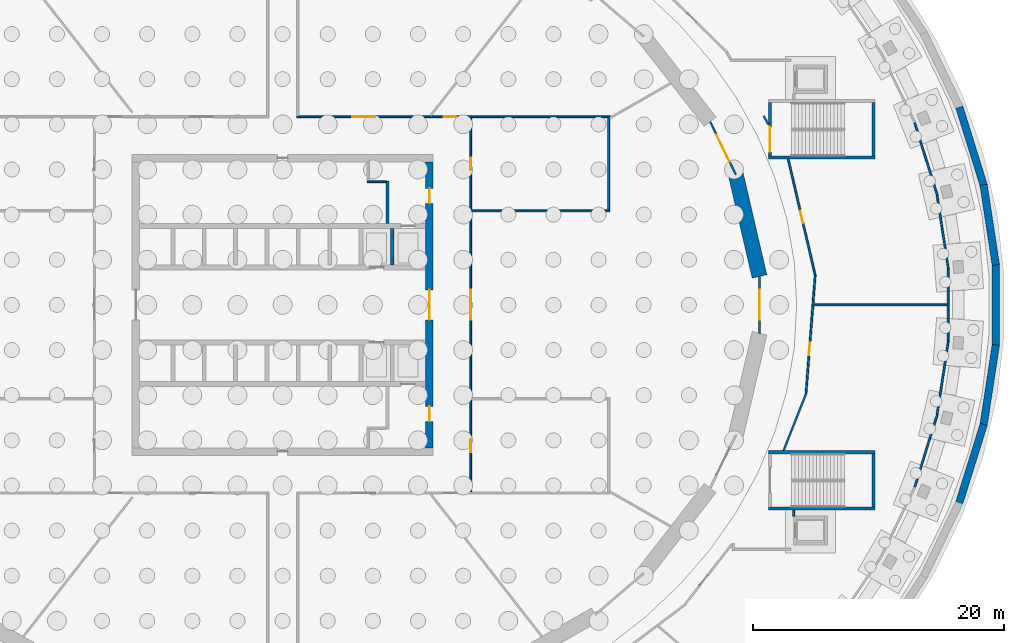
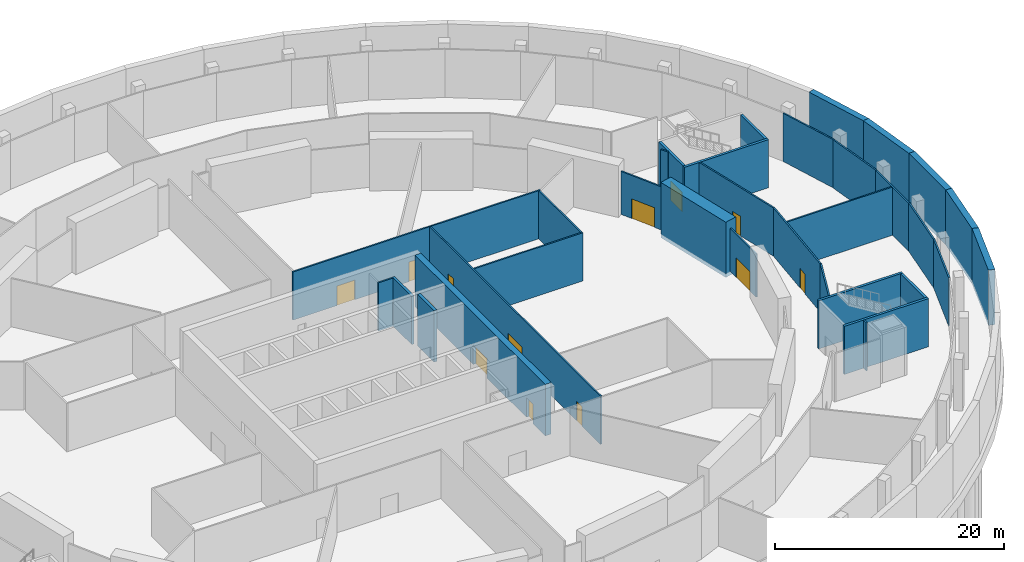
# One storey, part 10 of 15: 33 walls, 13 doors, 13 openings.
"""IFC4 building model written with IfcOpenShell, lengths in metres."""

from ifc_helpers import new_model, si_unit, direction, frame, frame_2d, origin, place, context, subcontext, project, spatial, polyline, rectangle, outline, extrude, material, layer, layer_set, type_object, element, fill, save


model = new_model("IFC4")

# Units and contexts
model_context = context("Model", 3, precision=1e-05, world=origin(), true_north=direction((0.0, 1.0)))
body_context = subcontext(model_context, "Body", "Model", "MODEL_VIEW")
ifc_project = project(units=[si_unit("LENGTHUNIT", "METRE"), si_unit("AREAUNIT", "SQUARE_METRE"), si_unit("VOLUMEUNIT", "CUBIC_METRE"), si_unit("PLANEANGLEUNIT", "RADIAN"), si_unit("MASSUNIT", "GRAM", prefix="KILO")], contexts=[model_context])

# Site, building, storey
site_placement = place(None, origin())
site = spatial("IfcSite", under=ifc_project, at=site_placement, CompositionType="ELEMENT")
building_placement = place(site_placement, origin())
building = spatial("IfcBuilding", under=site, at=building_placement, Name="Halqa Exchange Tower", CompositionType="ELEMENT")
storey_placement = place(building_placement, frame((0.0, 0.0, -15.0)))
storey = spatial("IfcBuildingStorey", under=building, at=storey_placement, Name="B3", CompositionType="ELEMENT", Elevation=-15.0)

# Wall, openings, doors
ifc_material_1 = material(Name="Fire-rated gypsum board")
ifc_layer_1 = layer(ifc_material_1, 0.14990234375)
ifc_layer_set_1 = layer_set([ifc_layer_1], Name="Fire-rated gypsum board")
wall_type_1 = type_object("IfcWallType", Name="Fire partition EI 60 150", PredefinedType="PARTITIONING", material=ifc_layer_set_1)
wall_1_placement = place(storey_placement, frame((1.125, 15.0, 0.0), z_axis=(0.0, 0.0, 1.0), x_axis=(1.0, 0.0, 0.0)))
wall_1 = element("IfcWall", 1, at=wall_1_placement, inside=storey, type_object=wall_type_1, Name="B3-PWL-080", PredefinedType="PARTITIONING", context=body_context, shape_type="SweptSolid", body=[
    extrude(rectangle(XDim=25.0048828125, YDim=0.14990234375, at=frame_2d((12.50244140625, 0.0))), origin(), (0.0, 0.0, 1.0), 5.14990234375),
])
opening_1_placement = place(wall_1_placement, frame((11.72509765625, 0.0, 0.0)))
opening_1 = element("IfcOpeningElement", 2, at=opening_1_placement, cuts=wall_1, Name="Opening B3-08", PredefinedType="OPENING", context=body_context, shape_type="SweptSolid", body=[
    extrude(rectangle(XDim=1.0, YDim=2.10009765625, at=frame_2d((0.5, 1.050048828125))), frame((0.0, 0.0869140625, 0.0), z_axis=(0.0, -1.0, 0.0), x_axis=(1.0, 0.0, 0.0)), (0.0, 0.0, 1.0), 0.173828125),
])
opening_2_placement = place(wall_1_placement, frame((4.444091796875, 0.0, 0.0)))
opening_2 = element("IfcOpeningElement", 3, at=opening_2_placement, cuts=wall_1, Name="Opening B3-09", PredefinedType="OPENING", context=body_context, shape_type="SweptSolid", body=[
    extrude(rectangle(XDim=1.800048828125, YDim=2.10009765625, at=frame_2d((0.89990234375, 1.050048828125))), frame((0.0, 0.0869140625, 0.0), z_axis=(0.0, -1.0, 0.0), x_axis=(1.0, 0.0, 0.0)), (0.0, 0.0, 1.0), 0.173828125),
])
ifc_material_2 = material(Name="Steel fire door leaf", Category="steel")
door_type_1 = type_object("IfcDoorType", Name="Fire door FD30S 1000 x 2100", OperationType="SINGLE_SWING_LEFT", PredefinedType="DOOR", material=ifc_material_2)
door_1_placement = place(opening_1_placement, frame((1.0, 0.0, 0.0), z_axis=(0.0, 0.0, 1.0), x_axis=(-1.0, 0.0, 0.0)))
door_1 = element("IfcDoor", 4, at=door_1_placement, inside=storey, type_object=door_type_1, Name="B3-IDR-008", OperationType="SINGLE_SWING_RIGHT", OverallHeight=2.10009765625, OverallWidth=1.0, PredefinedType="DOOR", context=body_context, shape_type="SweptSolid", body=[
    extrude(rectangle(XDim=1.0, YDim=2.10009765625, at=frame_2d((0.5, 1.050048828125))), frame((0.0, 0.02490234375, 0.0), z_axis=(0.0, -1.0, 0.0), x_axis=(1.0, 0.0, 0.0)), (0.0, 0.0, 1.0), 0.050048828125),
])
fill(opening_1, door_1)
door_type_2 = type_object("IfcDoorType", Name="Fire door FD30S double 1800 x 2100", OperationType="DOUBLE_DOOR_SINGLE_SWING", PredefinedType="DOOR", material=ifc_material_2)
door_2_placement = place(opening_2_placement, frame((1.800048828125, 0.0, 0.0), z_axis=(0.0, 0.0, 1.0), x_axis=(-1.0, 0.0, 0.0)))
door_2 = element("IfcDoor", 5, at=door_2_placement, inside=storey, type_object=door_type_2, Name="B3-IDR-009", OperationType="DOUBLE_DOOR_SINGLE_SWING", OverallHeight=2.10009765625, OverallWidth=1.800048828125, PredefinedType="DOOR", context=body_context, shape_type="SweptSolid", body=[
    extrude(rectangle(XDim=1.800048828125, YDim=2.10009765625, at=frame_2d((0.89990234375, 1.050048828125))), frame((0.0, 0.02490234375, 0.0), z_axis=(0.0, -1.0, 0.0), x_axis=(1.0, 0.0, 0.0)), (0.0, 0.0, 1.0), 0.050048828125),
])
fill(opening_2, door_2)

wall_2_placement = place(storey_placement, frame((15.0, -14.925048828125, 0.0), z_axis=(0.0, 0.0, 1.0), x_axis=(0.0, 1.0, 0.0)))
wall_2 = element("IfcWall", 6, at=wall_2_placement, inside=storey, type_object=wall_type_1, Name="B3-PWL-092", PredefinedType="PARTITIONING", context=body_context, shape_type="SweptSolid", body=[
    extrude(rectangle(XDim=29.85009765625, YDim=0.14990234375, at=frame_2d((14.925048828125, 0.0))), origin(), (0.0, 0.0, 1.0), 5.14990234375),
])
opening_3_placement = place(wall_2_placement, frame((25.659912109375, 0.0, 0.0)))
opening_3 = element("IfcOpeningElement", 7, at=opening_3_placement, cuts=wall_2, Name="Opening B3-01", PredefinedType="OPENING", context=body_context, shape_type="SweptSolid", body=[
    extrude(rectangle(XDim=1.0, YDim=2.10009765625, at=frame_2d((0.5, 1.050048828125))), frame((0.0, 0.0869140625, 0.0), z_axis=(0.0, -1.0, 0.0), x_axis=(1.0, 0.0, 0.0)), (0.0, 0.0, 1.0), 0.173828125),
])
opening_4_placement = place(wall_2_placement, frame((3.18994140625, 0.0, 0.0)))
opening_4 = element("IfcOpeningElement", 8, at=opening_4_placement, cuts=wall_2, Name="Opening B3-02", PredefinedType="OPENING", context=body_context, shape_type="SweptSolid", body=[
    extrude(rectangle(XDim=1.0, YDim=2.10009765625, at=frame_2d((0.5, 1.050048828125))), frame((0.0, 0.0869140625, 0.0), z_axis=(0.0, -1.0, 0.0), x_axis=(1.0, 0.0, 0.0)), (0.0, 0.0, 1.0), 0.173828125),
])
opening_5_placement = place(wall_2_placement, frame((13.72509765625, 0.0, 0.0)))
opening_5 = element("IfcOpeningElement", 9, at=opening_5_placement, cuts=wall_2, Name="Opening B3-07", PredefinedType="OPENING", context=body_context, shape_type="SweptSolid", body=[
    extrude(rectangle(XDim=2.39990234375, YDim=2.10009765625, at=frame_2d((1.199951171875, 1.050048828125))), frame((0.0, 0.0869140625, 0.0), z_axis=(0.0, -1.0, 0.0), x_axis=(1.0, 0.0, 0.0)), (0.0, 0.0, 1.0), 0.173828125),
])
door_3_placement = place(opening_3_placement, origin())
door_3 = element("IfcDoor", 10, at=door_3_placement, inside=storey, type_object=door_type_1, Name="B3-IDR-001", OperationType="SINGLE_SWING_LEFT", OverallHeight=2.10009765625, OverallWidth=1.0, PredefinedType="DOOR", context=body_context, shape_type="SweptSolid", body=[
    extrude(rectangle(XDim=1.0, YDim=2.10009765625, at=frame_2d((0.5, 1.050048828125))), frame((0.0, 0.02490234375, 0.0), z_axis=(0.0, -1.0, 0.0), x_axis=(1.0, 0.0, 0.0)), (0.0, 0.0, 1.0), 0.050048828125),
])
fill(opening_3, door_3)
door_4_placement = place(opening_4_placement, origin())
door_4 = element("IfcDoor", 11, at=door_4_placement, inside=storey, type_object=door_type_1, Name="B3-IDR-002", OperationType="SINGLE_SWING_RIGHT", OverallHeight=2.10009765625, OverallWidth=1.0, PredefinedType="DOOR", context=body_context, shape_type="SweptSolid", body=[
    extrude(rectangle(XDim=1.0, YDim=2.10009765625, at=frame_2d((0.5, 1.050048828125))), frame((0.0, 0.02490234375, 0.0), z_axis=(0.0, -1.0, 0.0), x_axis=(1.0, 0.0, 0.0)), (0.0, 0.0, 1.0), 0.050048828125),
])
fill(opening_4, door_4)
door_type_3 = type_object("IfcDoorType", Name="Fire door FD60S double 2400 x 2100", OperationType="DOUBLE_DOOR_SINGLE_SWING", PredefinedType="DOOR", material=ifc_material_2)
door_5_placement = place(opening_5_placement, origin())
door_5 = element("IfcDoor", 12, at=door_5_placement, inside=storey, type_object=door_type_3, Name="B3-IDR-007", OperationType="DOUBLE_DOOR_SINGLE_SWING", OverallHeight=2.10009765625, OverallWidth=2.39990234375, PredefinedType="DOOR", context=body_context, shape_type="SweptSolid", body=[
    extrude(rectangle(XDim=2.39990234375, YDim=2.10009765625, at=frame_2d((1.199951171875, 1.050048828125))), frame((0.0, 0.02490234375, 0.0), z_axis=(0.0, -1.0, 0.0), x_axis=(1.0, 0.0, 0.0)), (0.0, 0.0, 1.0), 0.050048828125),
])
fill(opening_5, door_5)

# Walls
wall_3_placement = place(storey_placement, frame((26.074951171875, 7.5, 0.0), z_axis=(0.0, 0.0, 1.0), x_axis=(-1.0, 0.0, 0.0)))
element("IfcWall", 13, at=wall_3_placement, inside=storey, type_object=wall_type_1, Name="B3-PWL-106", PredefinedType="PARTITIONING", context=body_context, shape_type="SweptSolid", body=[
    extrude(rectangle(XDim=11.0, YDim=0.14990234375, at=frame_2d((5.5, 0.0))), origin(), (0.0, 0.0, 1.0), 5.14990234375),
])
wall_4_placement = place(storey_placement, frame((26.0, 7.573974609375, 0.0), z_axis=(0.0, 0.0, 1.0), x_axis=(0.0, 1.0, 0.0)))
element("IfcWall", 14, at=wall_4_placement, inside=storey, type_object=wall_type_1, Name="B3-PWL-107", PredefinedType="PARTITIONING", context=body_context, shape_type="SweptSolid", body=[
    extrude(rectangle(XDim=7.35107421875, YDim=0.14990234375, at=frame_2d((3.675537109375, 0.0))), origin(), (0.0, 0.0, 1.0), 5.14990234375),
])

# Wall, opening, door
wall_5_placement = place(storey_placement, frame((34.09716796875, 14.605712890625, 0.0), z_axis=(0.0, 0.0, 1.0), x_axis=(0.436936398764, -0.899492403212, 0.0)))
wall_5 = element("IfcWall", 15, at=wall_5_placement, inside=storey, type_object=wall_type_1, Name="B3-PWL-116", PredefinedType="PARTITIONING", context=body_context, shape_type="SweptSolid", body=[
    extrude(outline(polyline([(0.015869140625, -0.074951171875), (4.680908203125, -0.074951171875), (4.715087890625, 0.074951171875), (-0.015869140625, 0.074951171875), (0.015869140625, -0.074951171875)])), origin(), (0.0, 0.0, 1.0), 4.60009765625),
])
opening_6_placement = place(wall_5_placement, frame((1.15234375, 0.0, 0.0)))
opening_6 = element("IfcOpeningElement", 16, at=opening_6_placement, cuts=wall_5, Name="Opening B3-17", PredefinedType="OPENING", context=body_context, shape_type="SweptSolid", body=[
    extrude(rectangle(XDim=2.39990234375, YDim=2.10009765625, at=frame_2d((1.199951171875, 1.050048828125))), frame((0.0, 0.0869140625, 0.0), z_axis=(0.0, -1.0, 0.0), x_axis=(1.0, 0.0, 0.0)), (0.0, 0.0, 1.0), 0.173828125),
])
door_6_placement = place(opening_6_placement, origin())
door_6 = element("IfcDoor", 17, at=door_6_placement, inside=storey, type_object=door_type_3, Name="B3-IDR-017", OperationType="DOUBLE_DOOR_SINGLE_SWING", OverallHeight=2.10009765625, OverallWidth=2.39990234375, PredefinedType="DOOR", context=body_context, shape_type="SweptSolid", body=[
    extrude(rectangle(XDim=2.39990234375, YDim=2.10009765625, at=frame_2d((1.199951171875, 1.050048828125))), frame((0.0, 0.02490234375, 0.0), z_axis=(0.0, -1.0, 0.0), x_axis=(1.0, 0.0, 0.0)), (0.0, 0.0, 1.0), 0.050048828125),
])
fill(opening_6, door_6)

wall_6_placement = place(storey_placement, frame((38.030029296875, 2.267578125, 0.0), z_axis=(0.0, 0.0, 1.0), x_axis=(0.0, -1.0, 0.0)))
wall_6 = element("IfcWall", 18, at=wall_6_placement, inside=storey, type_object=wall_type_1, Name="B3-PWL-124", PredefinedType="PARTITIONING", context=body_context, shape_type="SweptSolid", body=[
    extrude(outline(polyline([(0.017333984375, -0.074951171875), (4.517822265625, -0.074951171875), (4.552490234375, 0.074951171875), (-0.017333984375, 0.074951171875), (0.017333984375, -0.074951171875)])), origin(), (0.0, 0.0, 1.0), 4.60009765625),
])
opening_7_placement = place(wall_6_placement, frame((1.0673828125, 0.0, 0.0)))
opening_7 = element("IfcOpeningElement", 19, at=opening_7_placement, cuts=wall_6, Name="Opening B3-16", PredefinedType="OPENING", context=body_context, shape_type="SweptSolid", body=[
    extrude(rectangle(XDim=2.39990234375, YDim=2.10009765625, at=frame_2d((1.199951171875, 1.050048828125))), frame((0.0, 0.0869140625, 0.0), z_axis=(0.0, -1.0, 0.0), x_axis=(1.0, 0.0, 0.0)), (0.0, 0.0, 1.0), 0.173828125),
])
door_7_placement = place(opening_7_placement, origin())
door_7 = element("IfcDoor", 20, at=door_7_placement, inside=storey, type_object=door_type_3, Name="B3-IDR-016", OperationType="DOUBLE_DOOR_SINGLE_SWING", OverallHeight=2.10009765625, OverallWidth=2.39990234375, PredefinedType="DOOR", context=body_context, shape_type="SweptSolid", body=[
    extrude(rectangle(XDim=2.39990234375, YDim=2.10009765625, at=frame_2d((1.199951171875, 1.050048828125))), frame((0.0, 0.02490234375, 0.0), z_axis=(0.0, -1.0, 0.0), x_axis=(1.0, 0.0, 0.0)), (0.0, 0.0, 1.0), 0.050048828125),
])
fill(opening_7, door_7)

# Walls
wall_7_placement = place(storey_placement, frame((38.363037109375, 15.065185546875, 0.0), z_axis=(0.0, 0.0, 1.0), x_axis=(0.49173071, -0.870747327784, 0.0)))
element("IfcWall", 21, at=wall_7_placement, inside=storey, type_object=wall_type_1, Name="B3-PWL-125", PredefinedType="PARTITIONING", context=body_context, shape_type="SweptSolid", body=[
    extrude(outline(polyline([(0.0, -0.074951171875), (0.743408203125, -0.074951171875), (0.833251953125, 0.074951171875), (0.0, 0.074951171875), (0.0, -0.074951171875)])), origin(), (0.0, 0.0, 1.0), 5.14990234375),
])
wall_8_placement = place(storey_placement, frame((39.94775390625, -11.62548828125, 0.0), z_axis=(0.0, 0.0, 1.0), x_axis=(0.368047556164, 0.92980696728, 0.0)))
element("IfcWall", 22, at=wall_8_placement, inside=storey, type_object=wall_type_1, Name="B3-PWL-126", PredefinedType="PARTITIONING", context=body_context, shape_type="SweptSolid", body=[
    extrude(outline(polyline([(0.02978515625, -0.074951171875), (4.9140625, -0.074951171875), (4.9140625, 0.074951171875), (-0.02978515625, 0.074951171875), (0.02978515625, -0.074951171875)])), origin(), (0.0, 0.0, 1.0), 5.14990234375),
])

# Wall, opening, door
wall_9_placement = place(storey_placement, frame((40.321044921875, 11.62548828125, 0.0), z_axis=(0.0, 0.0, 1.0), x_axis=(0.226176729561, -0.974086283142, 0.0)))
wall_9 = element("IfcWall", 23, at=wall_9_placement, inside=storey, type_object=wall_type_1, Name="B3-PWL-128", PredefinedType="PARTITIONING", context=body_context, shape_type="SweptSolid", body=[
    extrude(outline(polyline([(-0.017333984375, -0.074951171875), (9.5009765625, -0.074951171875), (9.5009765625, 0.074951171875), (0.017333984375, 0.074951171875), (-0.017333984375, -0.074951171875)])), origin(), (0.0, 0.0, 1.0), 5.14990234375),
])
opening_8_placement = place(wall_9_placement, frame((4.248779296875, 0.0, 0.0)))
opening_8 = element("IfcOpeningElement", 24, at=opening_8_placement, cuts=wall_9, Name="Opening B3-21", PredefinedType="OPENING", context=body_context, shape_type="SweptSolid", body=[
    extrude(rectangle(XDim=1.0, YDim=2.10009765625, at=frame_2d((0.5, 1.050048828125))), frame((0.0, 0.0869140625, 0.0), z_axis=(0.0, -1.0, 0.0), x_axis=(1.0, 0.0, 0.0)), (0.0, 0.0, 1.0), 0.173828125),
])
door_8_placement = place(opening_8_placement, origin())
door_8 = element("IfcDoor", 25, at=door_8_placement, inside=storey, type_object=door_type_1, Name="B3-IDR-021", OperationType="SINGLE_SWING_LEFT", OverallHeight=2.10009765625, OverallWidth=1.0, PredefinedType="DOOR", context=body_context, shape_type="SweptSolid", body=[
    extrude(rectangle(XDim=1.0, YDim=2.10009765625, at=frame_2d((0.5, 1.050048828125))), frame((0.0, 0.02490234375, 0.0), z_axis=(0.0, -1.0, 0.0), x_axis=(1.0, 0.0, 0.0)), (0.0, 0.0, 1.0), 0.050048828125),
])
fill(opening_8, door_8)

# Wall
wall_10_placement = place(storey_placement, frame((40.75, -16.3740234375, 0.0), z_axis=(0.0, 0.0, 1.0), x_axis=(0.0, -1.0, 0.0)))
element("IfcWall", 26, at=wall_10_placement, inside=storey, type_object=wall_type_1, Name="B3-PWL-130", PredefinedType="PARTITIONING", context=body_context, shape_type="SweptSolid", body=[
    extrude(rectangle(XDim=0.47607421875, YDim=0.14990234375, at=frame_2d((0.238037109375, 0.0))), origin(), (0.0, 0.0, 1.0), 5.14990234375),
])

# Wall, opening, door
wall_11_placement = place(storey_placement, frame((41.7421875, -7.051513671875, 0.0), z_axis=(0.0, 0.0, 1.0), x_axis=(0.077460859739, 0.996995393775, 0.0)))
wall_11 = element("IfcWall", 27, at=wall_11_placement, inside=storey, type_object=wall_type_1, Name="B3-PWL-132", PredefinedType="PARTITIONING", context=body_context, shape_type="SweptSolid", body=[
    extrude(rectangle(XDim=9.4521484375, YDim=0.14990234375, at=frame_2d((4.72607421875, 0.0))), origin(), (0.0, 0.0, 1.0), 5.14990234375),
])
opening_9_placement = place(wall_11_placement, frame((3.037109375, 0.0, 0.0)))
opening_9 = element("IfcOpeningElement", 28, at=opening_9_placement, cuts=wall_11, Name="Opening B3-36", PredefinedType="OPENING", context=body_context, shape_type="SweptSolid", body=[
    extrude(rectangle(XDim=1.0, YDim=2.10009765625, at=frame_2d((0.5, 1.050048828125))), frame((0.0, 0.0869140625, 0.0), z_axis=(0.0, -1.0, 0.0), x_axis=(1.0, 0.0, 0.0)), (0.0, 0.0, 1.0), 0.173828125),
])
door_9_placement = place(opening_9_placement, frame((1.0, 0.0, 0.0), z_axis=(0.0, 0.0, 1.0), x_axis=(-1.0, 0.0, 0.0)))
door_9 = element("IfcDoor", 29, at=door_9_placement, inside=storey, type_object=door_type_1, Name="B3-IDR-036", OperationType="SINGLE_SWING_RIGHT", OverallHeight=2.10009765625, OverallWidth=1.0, PredefinedType="DOOR", context=body_context, shape_type="SweptSolid", body=[
    extrude(rectangle(XDim=1.0, YDim=2.10009765625, at=frame_2d((0.5, 1.050048828125))), frame((0.0, 0.02490234375, 0.0), z_axis=(0.0, -1.0, 0.0), x_axis=(1.0, 0.0, 0.0)), (0.0, 0.0, 1.0), 0.050048828125),
])
fill(opening_9, door_9)

# Walls
for number, where, z_axis, x_axis, name in (
    (30, (50.416259765625, -14.506103515625, 0.0), (0.0, 0.0, 1.0), (0.297713123711, 0.954655380737, 0.0), "B3-PWL-138"),
    (31, (50.416259765625, 14.506103515625, 0.0), (0.0, 0.0, 1.0), (0.297713123711, -0.954655380737, 0.0), "B3-PWL-139"),
):
    element("IfcWall", number, at=place(storey_placement, frame(where, z_axis=z_axis, x_axis=x_axis)), inside=storey, type_object=wall_type_1, Name=name, PredefinedType="PARTITIONING", context=body_context, shape_type="SweptSolid", body=[
        extrude(rectangle(XDim=6.0126953125, YDim=0.14990234375, at=frame_2d((3.00634765625, 0.0))), origin(), (0.0, 0.0, 1.0), 5.14990234375),
    ])
for number, where, z_axis, x_axis, name in (
    (32, (52.193359375, 8.762939453125, 0.0), (0.0, 0.0, 1.0), (0.151301640935, -0.988487639503, 0.0), "B3-PWL-140"),
    (33, (53.093505859375, -2.882080078125, 0.0), (0.0, 0.0, 1.0), (-0.151301640935, -0.988487639503, 0.0), "B3-PWL-141"),
):
    element("IfcWall", number, at=place(storey_placement, frame(where, z_axis=z_axis, x_axis=x_axis)), inside=storey, type_object=wall_type_1, Name=name, PredefinedType="PARTITIONING", context=body_context, shape_type="SweptSolid", body=[
        extrude(rectangle(XDim=5.949462890625, YDim=0.14990234375, at=frame_2d((2.974609375, 0.0))), origin(), (0.0, 0.0, 1.0), 5.14990234375),
    ])
wall_12_placement = place(storey_placement, frame((53.080078125, -2.880615234375, 0.0), z_axis=(0.0, 0.0, 1.0), x_axis=(0.0, 1.0, 0.0)))
element("IfcWall", 34, at=wall_12_placement, inside=storey, type_object=wall_type_1, Name="B3-PWL-142", PredefinedType="PARTITIONING", context=body_context, shape_type="SweptSolid", body=[
    extrude(rectangle(XDim=5.76123046875, YDim=0.14990234375, at=frame_2d((2.880615234375, 0.0))), origin(), (0.0, 0.0, 1.0), 5.14990234375),
])
wall_13_placement = place(storey_placement, frame((53.0048828125, 0.0, 0.0), z_axis=(0.0, 0.0, 1.0), x_axis=(-1.0, 0.0, 0.0)))
element("IfcWall", 35, at=wall_13_placement, inside=storey, type_object=wall_type_1, Name="B3-PWL-143", PredefinedType="PARTITIONING", context=body_context, shape_type="SweptSolid", body=[
    extrude(outline(polyline([(0.0, -0.074951171875), (10.634521484375, -0.074951171875), (10.646240234375, 0.074951171875), (0.0, 0.074951171875), (0.0, -0.074951171875)])), origin(), (0.0, 0.0, 1.0), 5.14990234375),
])
ifc_material_3 = material(Name="Gypsum board")
ifc_layer_2 = layer(ifc_material_3, 0.14990234375)
ifc_layer_set_2 = layer_set([ifc_layer_2], Name="Gypsum board")
wall_type_2 = type_object("IfcWallType", Name="Penthouse riser wall 150 gypsum", PredefinedType="PARTITIONING", material=ifc_layer_set_2)
wall_14_placement = place(storey_placement, frame((6.75, 9.824951171875, 0.0), z_axis=(0.0, 0.0, 1.0), x_axis=(1.0, 0.0, 0.0)))
element("IfcWall", 36, at=wall_14_placement, inside=storey, type_object=wall_type_2, Name="Firefighting lobby return wall N", PredefinedType="PARTITIONING", context=body_context, shape_type="SweptSolid", body=[
    extrude(rectangle(XDim=1.5, YDim=0.14990234375, at=frame_2d((0.75, 0.0))), origin(), (0.0, 0.0, 1.0), 5.14990234375),
])
ifc_material_4 = material(Name="Concrete C40/50", Category="concrete")
ifc_layer_3 = layer(ifc_material_4, 0.60009765625)
ifc_layer_set_3 = layer_set([ifc_layer_3], Name="Concrete C40/50")
wall_type_3 = type_object("IfcWallType", Name="RC basement wall 600", PredefinedType="SOLIDWALL", material=ifc_layer_set_3)
wall_15_placement = place(storey_placement, frame((56.881591796875, 3.18212890625, -0.39990234375), z_axis=(0.0, 0.0, 1.0), x_axis=(-0.151402579615, 0.988472184174, 0.0)))
element("IfcWall", 37, at=wall_15_placement, inside=storey, type_object=wall_type_3, Name="Basement retaining wall", PredefinedType="SOLIDWALL", context=body_context, shape_type="SweptSolid", body=[
    extrude(rectangle(XDim=6.474365234375, YDim=0.60009765625, at=frame_2d((3.2373046875, 0.0))), origin(), (0.0, 0.0, 1.0), 5.89990234375),
])
for number, where, z_axis, x_axis, name in (
    (38, (55.91162109375, 9.537841796875, -0.39990234375), (0.0, 0.0, 1.0), (-0.297591507632, 0.954693298701, 0.0), "Basement retaining wall"),
    (39, (53.968505859375, -15.771484375, -0.39990234375), (0.0, 0.0, 1.0), (0.297591507632, 0.954693298701, 0.0), "Basement retaining wall"),
):
    element("IfcWall", number, at=place(storey_placement, frame(where, z_axis=z_axis, x_axis=x_axis)), inside=storey, type_object=wall_type_3, Name=name, PredefinedType="SOLIDWALL", context=body_context, shape_type="SweptSolid", body=[
        extrude(rectangle(XDim=6.529541015625, YDim=0.60009765625, at=frame_2d((3.2646484375, 0.0))), origin(), (0.0, 0.0, 1.0), 5.89990234375),
    ])
wall_16_placement = place(storey_placement, frame((55.9013671875, -9.581787109375, -0.39990234375), z_axis=(0.0, 0.0, 1.0), x_axis=(0.151402579615, 0.988472184174, 0.0)))
element("IfcWall", 40, at=wall_16_placement, inside=storey, type_object=wall_type_3, Name="Basement retaining wall", PredefinedType="SOLIDWALL", context=body_context, shape_type="SweptSolid", body=[
    extrude(rectangle(XDim=6.474365234375, YDim=0.60009765625, at=frame_2d((3.2373046875, 0.0))), origin(), (0.0, 0.0, 1.0), 5.89990234375),
])
wall_17_placement = place(storey_placement, frame((56.8779296875, -3.2275390625, -0.39990234375), z_axis=(0.0, 0.0, 1.0), x_axis=(0.0, 1.0, 0.0)))
element("IfcWall", 41, at=wall_17_placement, inside=storey, type_object=wall_type_3, Name="Basement retaining wall", PredefinedType="SOLIDWALL", context=body_context, shape_type="SweptSolid", body=[
    extrude(rectangle(XDim=6.455078125, YDim=0.60009765625, at=frame_2d((3.2275390625, 0.0))), origin(), (0.0, 0.0, 1.0), 5.89990234375),
])
ifc_material_5 = material(Name="Concrete C60/75", Category="concrete")
ifc_layer_4 = layer(ifc_material_5, 0.300048828125)
ifc_layer_set_4 = layer_set([ifc_layer_4], Name="Concrete C60/75")
wall_type_4 = type_object("IfcWallType", Name="RC core wall 300", PredefinedType="SHEAR", material=ifc_layer_set_4)
wall_18_placement = place(storey_placement, frame((8.75, 3.199951171875, 0.0), z_axis=(0.0, 0.0, 1.0), x_axis=(0.0, 1.0, 0.0)))
element("IfcWall", 42, at=wall_18_placement, inside=storey, type_object=wall_type_4, Name="Shaft divider N8", PredefinedType="SHEAR", context=body_context, shape_type="SweptSolid", body=[
    extrude(rectangle(XDim=2.900146484375, YDim=0.300048828125, at=frame_2d((1.4501953125, 0.0))), origin(), (0.0, 0.0, 1.0), 5.5),
])

# Wall, openings, doors
ifc_material_6 = material(Name="Concrete C80/95", Category="concrete")
ifc_layer_5 = layer(ifc_material_6, 0.60009765625)
ifc_layer_set_5 = layer_set([ifc_layer_5], Name="Concrete C80/95")
wall_type_5 = type_object("IfcWallType", Name="RC core wall 600 C80/95", PredefinedType="SHEAR", material=ifc_layer_set_5)
wall_19_placement = place(storey_placement, frame((11.699951171875, -11.39990234375, 0.0), z_axis=(0.0, 0.0, 1.0), x_axis=(0.0, 1.0, 0.0)))
wall_19 = element("IfcWall", 43, at=wall_19_placement, inside=storey, type_object=wall_type_5, Name="Core wall east", PredefinedType="SHEAR", context=body_context, shape_type="SweptSolid", body=[
    extrude(rectangle(XDim=22.7998046875, YDim=0.60009765625, at=frame_2d((11.39990234375, 0.0))), origin(), (0.0, 0.0, 1.0), 5.5),
])
opening_10_placement = place(wall_19_placement, frame((10.199951171875, 0.0, 0.0)))
opening_10 = element("IfcOpeningElement", 44, at=opening_10_placement, cuts=wall_19, Name="Opening B3-C06", PredefinedType="OPENING", context=body_context, shape_type="SweptSolid", body=[
    extrude(rectangle(XDim=2.39990234375, YDim=2.10009765625, at=frame_2d((1.199951171875, 1.050048828125))), frame((0.0, 0.31201171875, 0.0), z_axis=(0.0, -1.0, 0.0), x_axis=(1.0, 0.0, 0.0)), (0.0, 0.0, 1.0), 0.6240234375),
])
opening_11_placement = place(wall_19_placement, frame((19.5, 0.0, 0.0)))
opening_11 = element("IfcOpeningElement", 45, at=opening_11_placement, cuts=wall_19, Name="Opening B3-C15", PredefinedType="OPENING", context=body_context, shape_type="SweptSolid", body=[
    extrude(rectangle(XDim=1.199951171875, YDim=2.10009765625, at=frame_2d((0.60009765625, 1.050048828125))), frame((0.0, 0.31201171875, 0.0), z_axis=(0.0, -1.0, 0.0), x_axis=(1.0, 0.0, 0.0)), (0.0, 0.0, 1.0), 0.6240234375),
])
opening_12_placement = place(wall_19_placement, frame((2.10009765625, 0.0, 0.0)))
opening_12 = element("IfcOpeningElement", 46, at=opening_12_placement, cuts=wall_19, Name="Opening B3-C16", PredefinedType="OPENING", context=body_context, shape_type="SweptSolid", body=[
    extrude(rectangle(XDim=1.199951171875, YDim=2.10009765625, at=frame_2d((0.60009765625, 1.050048828125))), frame((0.0, 0.31201171875, 0.0), z_axis=(0.0, -1.0, 0.0), x_axis=(1.0, 0.0, 0.0)), (0.0, 0.0, 1.0), 0.6240234375),
])
door_type_4 = type_object("IfcDoorType", Name="Firefighting lobby door FD90 1200 x 2100", OperationType="SINGLE_SWING_RIGHT", PredefinedType="DOOR", material=ifc_material_2)
door_10_placement = place(opening_11_placement, origin())
door_10 = element("IfcDoor", 47, at=door_10_placement, inside=storey, type_object=door_type_4, Name="Firefighting lobby door", OperationType="SINGLE_SWING_RIGHT", OverallHeight=2.10009765625, OverallWidth=1.199951171875, PredefinedType="DOOR", context=body_context, shape_type="SweptSolid", body=[
    extrude(rectangle(XDim=1.199951171875, YDim=2.10009765625, at=frame_2d((0.60009765625, 1.050048828125))), frame((0.0, 0.02490234375, 0.0), z_axis=(0.0, -1.0, 0.0), x_axis=(1.0, 0.0, 0.0)), (0.0, 0.0, 1.0), 0.050048828125),
])
fill(opening_11, door_10)
door_11_placement = place(opening_12_placement, origin())
door_11 = element("IfcDoor", 48, at=door_11_placement, inside=storey, type_object=door_type_4, Name="Firefighting lobby door", OperationType="SINGLE_SWING_LEFT", OverallHeight=2.10009765625, OverallWidth=1.199951171875, PredefinedType="DOOR", context=body_context, shape_type="SweptSolid", body=[
    extrude(rectangle(XDim=1.199951171875, YDim=2.10009765625, at=frame_2d((0.60009765625, 1.050048828125))), frame((0.0, 0.02490234375, 0.0), z_axis=(0.0, -1.0, 0.0), x_axis=(1.0, 0.0, 0.0)), (0.0, 0.0, 1.0), 0.050048828125),
])
fill(opening_12, door_11)
door_type_5 = type_object("IfcDoorType", Name="Lobby double door FD60 2400 x 2100", OperationType="DOUBLE_DOOR_SINGLE_SWING", PredefinedType="DOOR", material=ifc_material_2)
door_12_placement = place(opening_10_placement, frame((2.39990234375, 0.0, 0.0), z_axis=(0.0, 0.0, 1.0), x_axis=(-1.0, 0.0, 0.0)))
door_12 = element("IfcDoor", 49, at=door_12_placement, inside=storey, type_object=door_type_5, Name="Lift lobby double door", OperationType="DOUBLE_DOOR_SINGLE_SWING", OverallHeight=2.10009765625, OverallWidth=2.39990234375, PredefinedType="DOOR", context=body_context, shape_type="SweptSolid", body=[
    extrude(rectangle(XDim=2.39990234375, YDim=2.10009765625, at=frame_2d((1.199951171875, 1.050048828125))), frame((0.0, 0.02490234375, 0.0), z_axis=(0.0, -1.0, 0.0), x_axis=(1.0, 0.0, 0.0)), (0.0, 0.0, 1.0), 0.050048828125),
])
fill(opening_10, door_12)

# Walls
ifc_layer_6 = layer(ifc_material_6, 1.199951171875)
ifc_layer_set_6 = layer_set([ifc_layer_6], Name="Concrete C80/95")
wall_type_6 = type_object("IfcWallType", Name="RC ring pier 1200 C80/95", PredefinedType="SHEAR", material=ifc_layer_set_6)
wall_20_placement = place(storey_placement, frame((38.03173828125, 2.26708984375, -0.39990234375), z_axis=(0.0, 0.0, 1.0), x_axis=(-0.226058185805, 0.974113800657, 0.0)))
element("IfcWall", 50, at=wall_20_placement, inside=storey, type_object=wall_type_6, Name="Ring pier 1", PredefinedType="SHEAR", context=body_context, shape_type="SweptSolid", body=[
    extrude(rectangle(XDim=8.328857421875, YDim=1.199951171875, at=frame_2d((4.16455078125, 0.0))), origin(), (0.0, 0.0, 1.0), 5.89990234375),
])
ifc_material_7 = material(Name="Concrete C30/37", Category="concrete")
ifc_layer_7 = layer(ifc_material_7, 0.25)
ifc_layer_set_7 = layer_set([ifc_layer_7], Name="Concrete C30/37")
wall_type_7 = type_object("IfcWallType", Name="RC stair wall 250 C30/37", PredefinedType="SHEAR", material=ifc_layer_set_7)
wall_21_placement = place(storey_placement, frame((8.375, 6.5, 0.0), z_axis=(0.0, 0.0, 1.0), x_axis=(0.0, 1.0, 0.0)))
element("IfcWall", 51, at=wall_21_placement, inside=storey, type_object=wall_type_7, Name="Stair ST2 east wall N", PredefinedType="SHEAR", context=body_context, shape_type="SweptSolid", body=[
    extrude(rectangle(XDim=3.39990234375, YDim=0.25, at=frame_2d((1.699951171875, 0.0))), origin(), (0.0, 0.0, 1.0), 5.14990234375),
])
wall_22_placement = place(storey_placement, frame((38.75, 11.75, 0.0), z_axis=(0.0, 0.0, 1.0), x_axis=(1.0, 0.0, 0.0)))
element("IfcWall", 52, at=wall_22_placement, inside=storey, type_object=wall_type_7, Name="Stair SS1 wall south", PredefinedType="SHEAR", context=body_context, shape_type="SweptSolid", body=[
    extrude(rectangle(XDim=8.5, YDim=0.25, at=frame_2d((4.25, 0.0))), origin(), (0.0, 0.0, 1.0), 5.14990234375),
])

# Wall, opening, door
wall_23_placement = place(storey_placement, frame((38.875, 11.875, 0.0), z_axis=(0.0, 0.0, 1.0), x_axis=(0.0, 1.0, 0.0)))
wall_23 = element("IfcWall", 53, at=wall_23_placement, inside=storey, type_object=wall_type_7, Name="Stair SS1 wall west", PredefinedType="SHEAR", context=body_context, shape_type="SweptSolid", body=[
    extrude(rectangle(XDim=4.25, YDim=0.25, at=frame_2d((2.125, 0.0))), origin(), (0.0, 0.0, 1.0), 5.14990234375),
])
opening_13_placement = place(wall_23_placement, frame((0.324951171875, 0.0, 0.0)))
opening_13 = element("IfcOpeningElement", 54, at=opening_13_placement, cuts=wall_23, Name="Opening B3-C11", PredefinedType="OPENING", context=body_context, shape_type="SweptSolid", body=[
    extrude(rectangle(XDim=2.0, YDim=2.10009765625, at=frame_2d((1.0, 1.050048828125))), frame((0.0, 0.136962890625, 0.0), z_axis=(0.0, -1.0, 0.0), x_axis=(1.0, 0.0, 0.0)), (0.0, 0.0, 1.0), 0.27392578125),
])
door_type_6 = type_object("IfcDoorType", Name="Station stair double door FD90 2000 x 2100", OperationType="DOUBLE_DOOR_SINGLE_SWING", PredefinedType="DOOR", material=ifc_material_2)
door_13_placement = place(opening_13_placement, frame((2.0, 0.0, 0.0), z_axis=(0.0, 0.0, 1.0), x_axis=(-1.0, 0.0, 0.0)))
door_13 = element("IfcDoor", 55, at=door_13_placement, inside=storey, type_object=door_type_6, Name="Core room door", OperationType="DOUBLE_DOOR_SINGLE_SWING", OverallHeight=2.10009765625, OverallWidth=2.0, PredefinedType="DOOR", context=body_context, shape_type="SweptSolid", body=[
    extrude(rectangle(XDim=2.0, YDim=2.10009765625, at=frame_2d((1.0, 1.050048828125))), frame((0.0, 0.02490234375, 0.0), z_axis=(0.0, -1.0, 0.0), x_axis=(1.0, 0.0, 0.0)), (0.0, 0.0, 1.0), 0.050048828125),
])
fill(opening_13, door_13)

# Walls
wall_24_placement = place(storey_placement, frame((47.125, 11.875, 0.0), z_axis=(0.0, 0.0, 1.0), x_axis=(0.0, 1.0, 0.0)))
element("IfcWall", 56, at=wall_24_placement, inside=storey, type_object=wall_type_7, Name="Stair SS1 wall east", PredefinedType="SHEAR", context=body_context, shape_type="SweptSolid", body=[
    extrude(rectangle(XDim=4.25, YDim=0.25, at=frame_2d((2.125, 0.0))), origin(), (0.0, 0.0, 1.0), 5.14990234375),
])
for number, where, z_axis, x_axis, name in (
    (57, (38.75, -11.75, 0.0), (0.0, 0.0, 1.0), (1.0, 0.0, 0.0), "Stair SS2 wall north"),
    (58, (38.75, -16.25, 0.0), (0.0, 0.0, 1.0), (1.0, 0.0, 0.0), "Stair SS2 wall south"),
):
    element("IfcWall", number, at=place(storey_placement, frame(where, z_axis=z_axis, x_axis=x_axis)), inside=storey, type_object=wall_type_7, Name=name, PredefinedType="SHEAR", context=body_context, shape_type="SweptSolid", body=[
        extrude(rectangle(XDim=8.5, YDim=0.25, at=frame_2d((4.25, 0.0))), origin(), (0.0, 0.0, 1.0), 5.14990234375),
    ])
wall_25_placement = place(storey_placement, frame((47.125, -16.125, 0.0), z_axis=(0.0, 0.0, 1.0), x_axis=(0.0, 1.0, 0.0)))
element("IfcWall", 59, at=wall_25_placement, inside=storey, type_object=wall_type_7, Name="Stair SS2 wall east", PredefinedType="SHEAR", context=body_context, shape_type="SweptSolid", body=[
    extrude(rectangle(XDim=4.25, YDim=0.25, at=frame_2d((2.125, 0.0))), origin(), (0.0, 0.0, 1.0), 5.14990234375),
])

save(model, "model.ifc")
